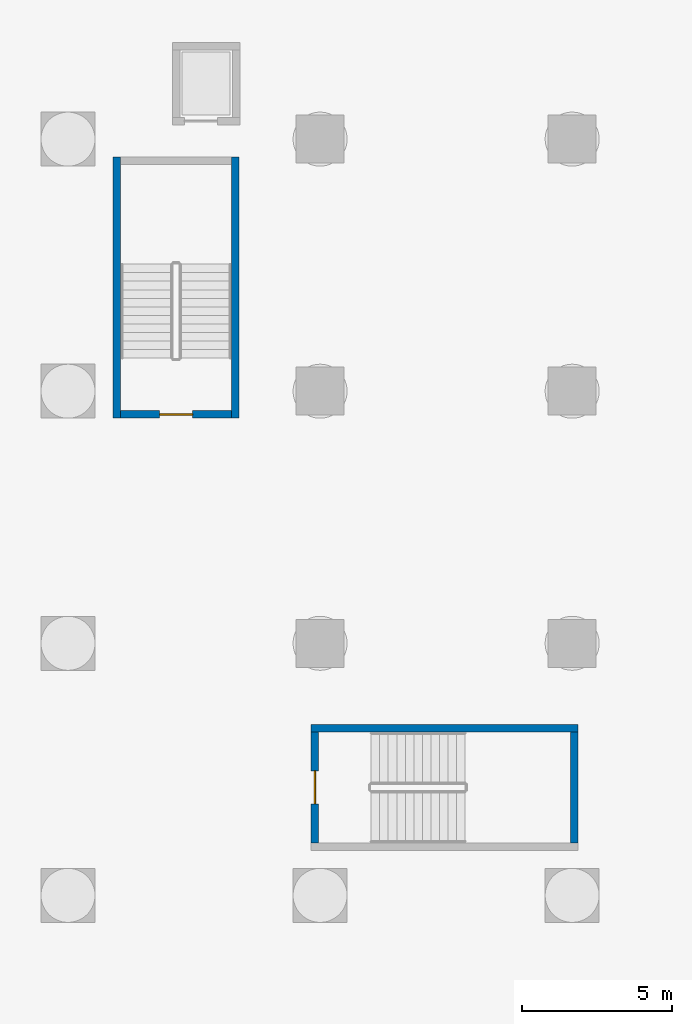
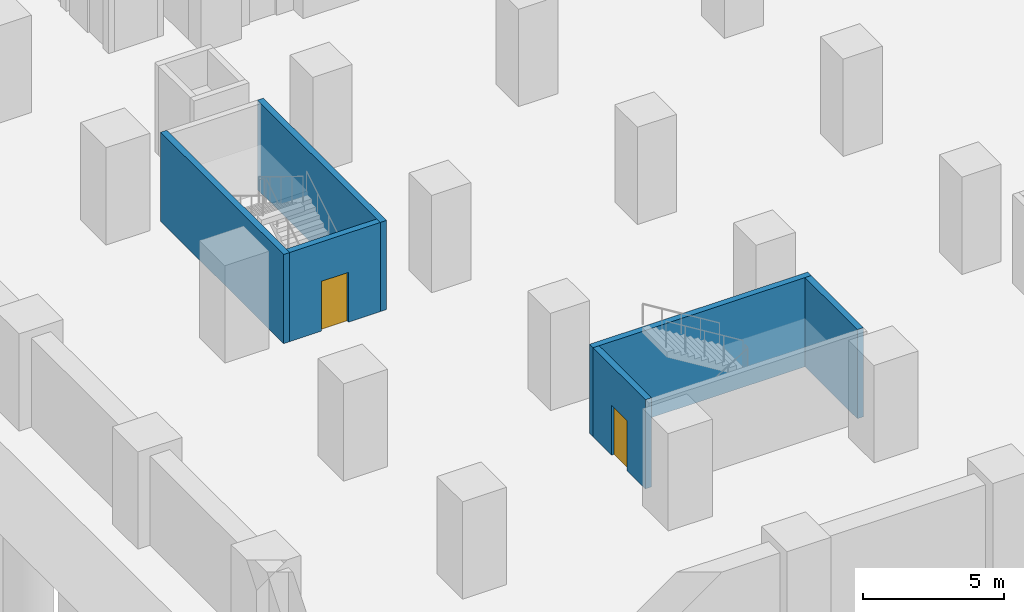
# One storey, part 3 of 12: 6 walls, 2 doors, 2 openings.
"""IFC4 building model written with IfcOpenShell, lengths in metres."""

from ifc_helpers import new_model, si_unit, direction, frame, frame_2d, origin, place, context, subcontext, project, spatial, rectangle, extrude, material, layer, layer_set, type_object, element, fill, save


model = new_model("IFC4")

# Units and contexts
model_context = context("Model", 3, precision=1e-05, world=origin(), true_north=direction((0.0, 1.0)))
body_context = subcontext(model_context, "Body", "Model", "MODEL_VIEW")
ifc_project = project(units=[si_unit("LENGTHUNIT", "METRE"), si_unit("AREAUNIT", "SQUARE_METRE"), si_unit("VOLUMEUNIT", "CUBIC_METRE"), si_unit("PLANEANGLEUNIT", "RADIAN"), si_unit("MASSUNIT", "GRAM", prefix="KILO")], contexts=[model_context])

# Site, building, storey
site_placement = place(None, origin())
site = spatial("IfcSite", under=ifc_project, at=site_placement, CompositionType="ELEMENT")
building_placement = place(site_placement, origin())
building = spatial("IfcBuilding", under=site, at=building_placement, Name="Koriwani Terraces Tower", CompositionType="ELEMENT")
storey_placement = place(building_placement, frame((0.0, 0.0, -8.39990234375)))
storey = spatial("IfcBuildingStorey", under=building, at=storey_placement, Name="B02", CompositionType="ELEMENT", Elevation=-8.39990234375)

# Walls
ifc_material_1 = material(Name="Concrete C40/50", Category="concrete")
ifc_layer = layer(ifc_material_1, 0.25, Name="Concrete C40/50")
ifc_layer_set = layer_set([ifc_layer], Name="Concrete C40/50")
wall_type = type_object("IfcWallType", Name="WALL_SHAFT_RATED_250", PredefinedType="SOLIDWALL", material=ifc_layer_set)
for number, where, z_axis, x_axis, name in (
    (1, (10.02490234375, 24.300048828125, 0.0), (0.0, 0.0, 1.0), (0.0, 1.0, 0.0), "B02 Podium Stair ST-P1 West Bearing Wall"),
    (2, (13.97509765625, 24.300048828125, 0.0), (0.0, 0.0, 1.0), (0.0, 1.0, 0.0), "B02 Podium Stair ST-P1 East Bearing Wall"),
):
    element("IfcWall", number, at=place(storey_placement, frame(where, z_axis=z_axis, x_axis=x_axis)), inside=storey, type_object=wall_type, Name=name, PredefinedType="SOLIDWALL", context=body_context, shape_type="SweptSolid", body=[
        extrude(rectangle(XDim=8.699951171875, YDim=0.25, at=frame_2d((4.35009765625, 0.0))), origin(), (0.0, 0.0, 1.0), 3.849853515625),
    ])
wall_1_placement = place(storey_placement, frame((16.5, 13.97509765625, 0.0), z_axis=(0.0, 0.0, 1.0), x_axis=(1.0, 0.0, 0.0)))
element("IfcWall", 3, at=wall_1_placement, inside=storey, type_object=wall_type, Name="B02 Podium Stair ST-P2 North Bearing Wall", PredefinedType="SOLIDWALL", context=body_context, shape_type="SweptSolid", body=[
    extrude(rectangle(XDim=8.89990234375, YDim=0.25, at=frame_2d((4.449951171875, 0.0))), origin(), (0.0, 0.0, 1.0), 3.849853515625),
])
wall_2_placement = place(storey_placement, frame((25.27490234375, 10.14990234375, 0.0), z_axis=(0.0, 0.0, 1.0), x_axis=(0.0, 1.0, 0.0)))
element("IfcWall", 4, at=wall_2_placement, inside=storey, type_object=wall_type, Name="B02 Podium Stair ST-P2 East Bearing Wall", PredefinedType="SOLIDWALL", context=body_context, shape_type="SweptSolid", body=[
    extrude(rectangle(XDim=3.7001953125, YDim=0.25, at=frame_2d((1.85009765625, 0.0))), origin(), (0.0, 0.0, 1.0), 3.849853515625),
])

# Wall, opening, door
wall_3_placement = place(storey_placement, frame((10.14990234375, 24.425048828125, 0.0), z_axis=(0.0, 0.0, 1.0), x_axis=(1.0, 0.0, 0.0)))
wall_3 = element("IfcWall", 5, at=wall_3_placement, inside=storey, type_object=wall_type, Name="B02 Interior Wall WIN-STP1-B02-S", PredefinedType="SOLIDWALL", context=body_context, shape_type="SweptSolid", body=[
    extrude(rectangle(XDim=3.7001953125, YDim=0.25, at=frame_2d((1.85009765625, 0.0))), origin(), (0.0, 0.0, 1.0), 3.849853515625),
])
opening_1_placement = place(wall_3_placement, frame((1.300048828125, 0.0, 0.0)))
opening_1 = element("IfcOpeningElement", 6, at=opening_1_placement, cuts=wall_3, Name="Opening D-03", PredefinedType="OPENING", context=body_context, shape_type="SweptSolid", body=[
    extrude(rectangle(XDim=1.10009765625, YDim=2.14990234375, at=frame_2d((0.550048828125, 1.074951171875))), frame((0.0, 0.135009765625, 0.0), z_axis=(0.0, -1.0, 0.0), x_axis=(1.0, 0.0, 0.0)), (0.0, 0.0, 1.0), 0.27001953125),
])
ifc_material_2 = material(Name="Steel ASTM A572 Grade 50", Category="steel")
door_type = type_object("IfcDoorType", Name="DOOR_STAIR_FIRE_1100X2150", OperationType="NOTDEFINED", PredefinedType="DOOR", material=ifc_material_2)
door_1_placement = place(opening_1_placement, origin())
door_1 = element("IfcDoor", 7, at=door_1_placement, inside=storey, type_object=door_type, Name="B02 Podium Exit Stair ST-P1 Door", OperationType="SINGLE_SWING_RIGHT", OverallHeight=2.14990234375, OverallWidth=1.10009765625, PredefinedType="DOOR", context=body_context, shape_type="SweptSolid", body=[
    extrude(rectangle(XDim=1.10009765625, YDim=2.14990234375, at=frame_2d((0.550048828125, 1.074951171875))), frame((0.0, 0.02490234375, 0.0), z_axis=(0.0, -1.0, 0.0), x_axis=(1.0, 0.0, 0.0)), (0.0, 0.0, 1.0), 0.050048828125),
])
fill(opening_1, door_1)

wall_4_placement = place(storey_placement, frame((16.625, 10.14990234375, 0.0), z_axis=(0.0, 0.0, 1.0), x_axis=(0.0, 1.0, 0.0)))
wall_4 = element("IfcWall", 8, at=wall_4_placement, inside=storey, type_object=wall_type, Name="B02 Interior Wall WIN-STP2-B02-W", PredefinedType="SOLIDWALL", context=body_context, shape_type="SweptSolid", body=[
    extrude(rectangle(XDim=3.7001953125, YDim=0.25, at=frame_2d((1.85009765625, 0.0))), origin(), (0.0, 0.0, 1.0), 3.849853515625),
])
opening_2_placement = place(wall_4_placement, frame((1.300048828125, 0.0, 0.0)))
opening_2 = element("IfcOpeningElement", 9, at=opening_2_placement, cuts=wall_4, Name="Opening D-03", PredefinedType="OPENING", context=body_context, shape_type="SweptSolid", body=[
    extrude(rectangle(XDim=1.10009765625, YDim=2.14990234375, at=frame_2d((0.550048828125, 1.074951171875))), frame((0.0, 0.135009765625, 0.0), z_axis=(0.0, -1.0, 0.0), x_axis=(1.0, 0.0, 0.0)), (0.0, 0.0, 1.0), 0.27001953125),
])
door_2_placement = place(opening_2_placement, origin())
door_2 = element("IfcDoor", 10, at=door_2_placement, inside=storey, type_object=door_type, Name="B02 Podium Exit Stair ST-P2 Door", OperationType="SINGLE_SWING_LEFT", OverallHeight=2.14990234375, OverallWidth=1.10009765625, PredefinedType="DOOR", context=body_context, shape_type="SweptSolid", body=[
    extrude(rectangle(XDim=1.10009765625, YDim=2.14990234375, at=frame_2d((0.550048828125, 1.074951171875))), frame((0.0, 0.02490234375, 0.0), z_axis=(0.0, -1.0, 0.0), x_axis=(1.0, 0.0, 0.0)), (0.0, 0.0, 1.0), 0.050048828125),
])
fill(opening_2, door_2)

save(model, "model.ifc")
